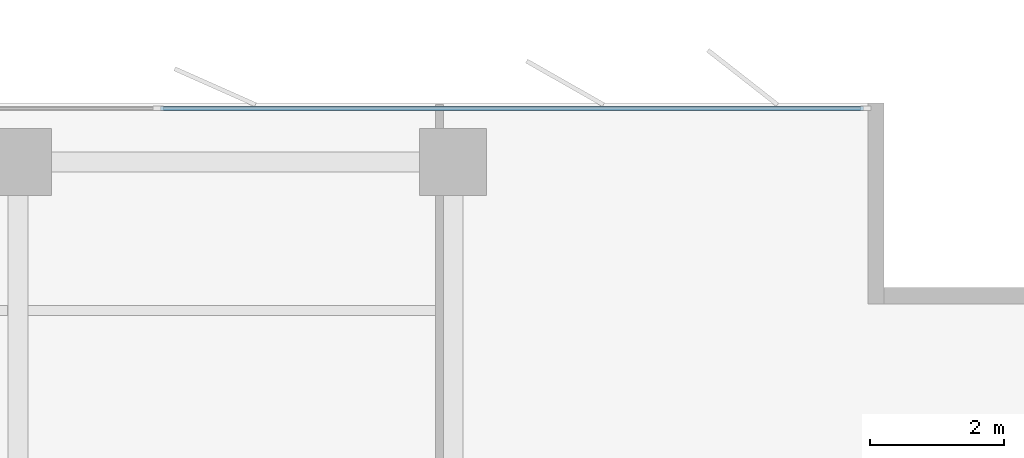
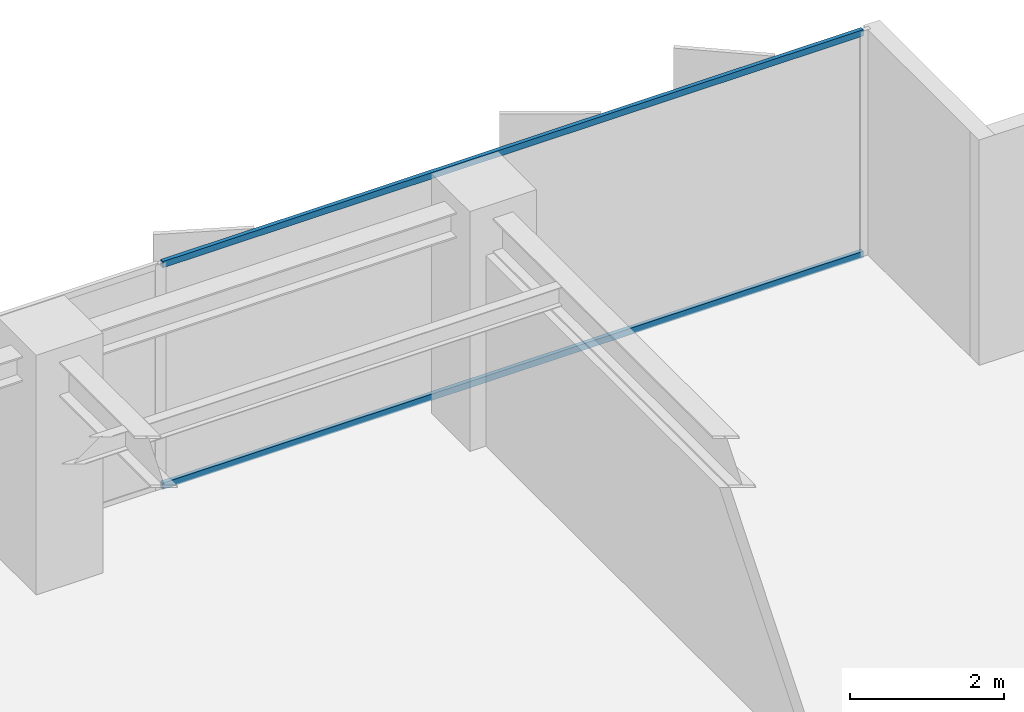
# One storey, part 11 of 22: 2 members, 1 element without a shape of its own.
"""IFC4 building model written with IfcOpenShell, lengths in metres."""

from ifc_helpers import new_model, si_unit, direction, frame, origin, origin_2d, place, context, subcontext, project, spatial, rectangle, extrude, material, layer, layer_set, material_profile, profile_set, type_object, element, aggregate, save


model = new_model("IFC4")

# Units and contexts
model_context = context("Model", 3, precision=1e-05, world=origin(), true_north=direction((0.0, 1.0)))
body_context = subcontext(model_context, "Body", "Model", "MODEL_VIEW")
ifc_project = project(units=[si_unit("LENGTHUNIT", "METRE"), si_unit("AREAUNIT", "SQUARE_METRE"), si_unit("VOLUMEUNIT", "CUBIC_METRE"), si_unit("PLANEANGLEUNIT", "RADIAN"), si_unit("MASSUNIT", "GRAM", prefix="KILO")], contexts=[model_context])

# Site, building, storey
site_placement = place(None, origin())
site = spatial("IfcSite", under=ifc_project, at=site_placement, CompositionType="ELEMENT")
building_placement = place(site_placement, origin())
building = spatial("IfcBuilding", under=site, at=building_placement, Name="Putna Gate Headquarters", CompositionType="ELEMENT")
storey_placement = place(building_placement, frame((0.0, 0.0, 170.800048828125)))
storey = spatial("IfcBuildingStorey", under=building, at=storey_placement, Name="L42", CompositionType="ELEMENT", Elevation=170.800048828125)

# Curtain wall, members
ifc_material_1 = material(Name="Anodised bronze aluminium curtain wall", Category="aluminium")
ifc_layer = layer(ifc_material_1, 0.159912109375)
ifc_layer_set = layer_set([ifc_layer], Name="Anodised bronze aluminium curtain wall")
curtain_wall_type = type_object("IfcCurtainWallType", Name="CW-SYS-Z3", PredefinedType="USERDEFINED", material=ifc_layer_set)
curtain_wall_placement = place(storey_placement, origin())
curtain_wall = element("IfcCurtainWall", 1, at=curtain_wall_placement, inside=storey, type_object=curtain_wall_type, Name="L42 North East Curtain Wall", ObjectType="STICK CURTAIN WALL", PredefinedType="USERDEFINED")
ifc_material_2 = material(Name="Anodised bronze aluminium EN AW-6060", Category="aluminium")
ifc_material_profile = material_profile(ifc_material_2, rectangle(XDim=0.06005859375, YDim=0.10009765625, at=origin_2d()), Name="Anodised bronze aluminium EN AW-6060")
ifc_profile_set = profile_set([ifc_material_profile], Name="Anodised bronze aluminium EN AW-6060")
member_type = type_object("IfcMemberType", Name="TRAN-CWT-3", PredefinedType="USERDEFINED", material=ifc_profile_set)
member_1_placement = place(storey_placement, frame((60.632568359375, 48.52001953125, 0.030029296875), z_axis=(1.0, 0.0, 0.0), x_axis=(0.0, 1.0, 0.0)))
member_1 = element("IfcMember", 2, at=member_1_placement, type_object=member_type, Name="CWS-3 transom 2.1", ObjectType="TRANSOM", PredefinedType="USERDEFINED", context=body_context, shape_type="SweptSolid", body=[
    extrude(rectangle(XDim=0.06005859375, YDim=0.10009765625, at=origin_2d()), origin(), (0.0, 0.0, 1.0), 10.50244140625),
])
member_2_placement = place(storey_placement, frame((60.632568359375, 48.52001953125, 3.5419921875), z_axis=(1.0, 0.0, 0.0), x_axis=(0.0, 1.0, 0.0)))
member_2 = element("IfcMember", 3, at=member_2_placement, type_object=member_type, Name="CWS-3 transom 2.2", ObjectType="TRANSOM", PredefinedType="USERDEFINED", context=body_context, shape_type="SweptSolid", body=[
    extrude(rectangle(XDim=0.06005859375, YDim=0.10009765625, at=origin_2d()), origin(), (0.0, 0.0, 1.0), 10.50244140625),
])
aggregate(curtain_wall, [member_1, member_2])

save(model, "model.ifc")
